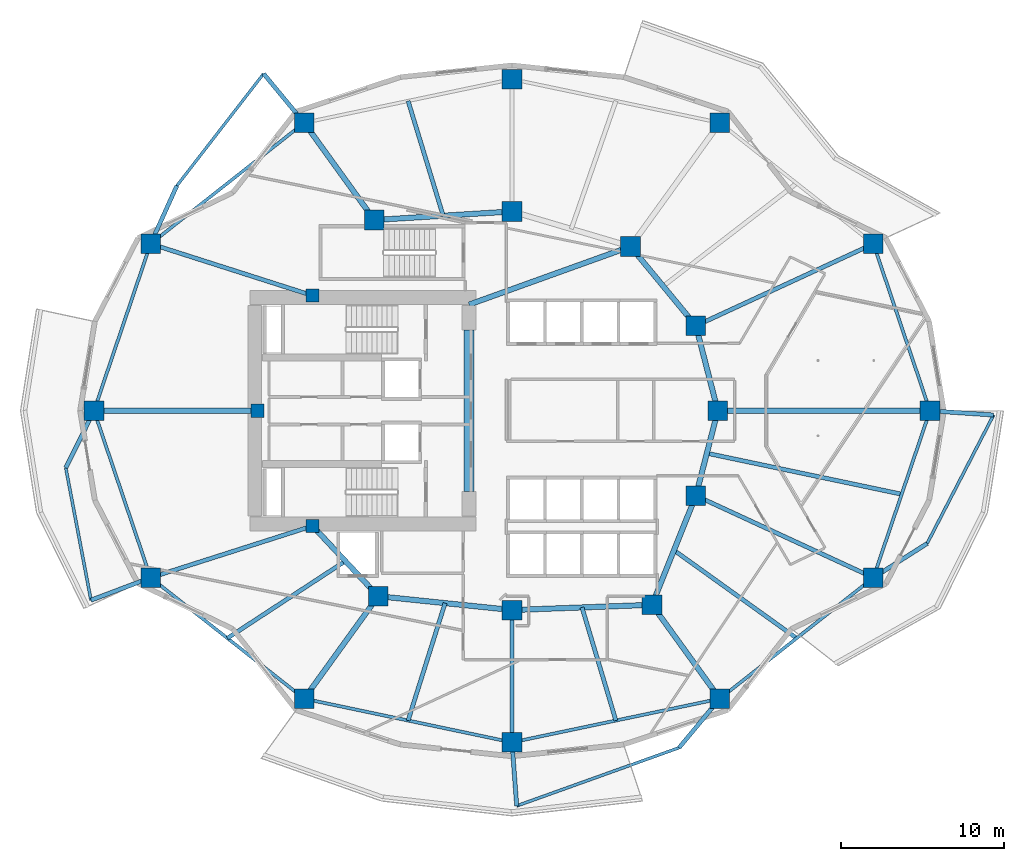
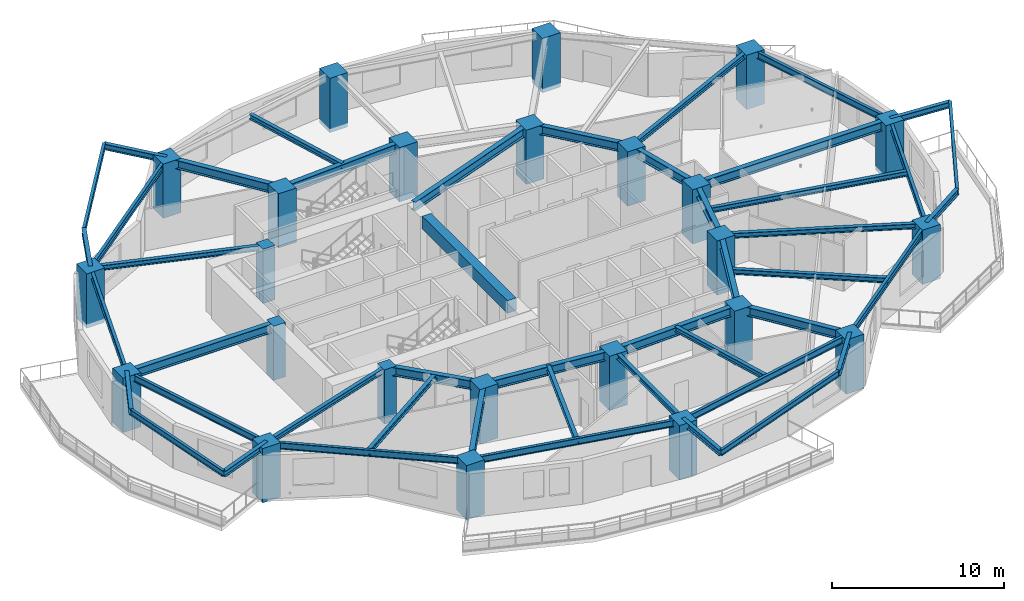
# One storey, part 1 of 14: 47 beams, 24 columns.
"""IFC4 building model written with IfcOpenShell, lengths in metres."""

import ifcopenshell
import ifcopenshell.guid

model = None  # the IFC model being written
_history = None  # IfcOwnerHistory: only IFC2X3 demands one
_inside = {}  # id of a spatial element -> (the spatial element, [elements in it])
_under = {}  # id of a project, library or spatial element -> (it, [spatial elements below it])
_declared = {}  # id of a project -> (the project, [libraries it declares])
_typed = {}  # id of a type object -> (the type object, [elements of that type])
_made_of = {}  # id of a material, layer set ... -> (it, [elements and type objects made of it])


def new_model(schema):
    """Start an empty IFC model of exactly this schema.

    Asked for "IFC4X3", IfcOpenShell would pick the latest addendum, in which some entities
    have other attributes; the version numbers below select the first issue.
    IFC2X3 requires an IfcOwnerHistory on every rooted entity: one is made here for all.
    """
    global model, _history
    if schema == "IFC4X3":
        model = ifcopenshell.file(schema_version=(4, 3, 0, 0))
    else:
        model = ifcopenshell.file(schema=schema)
    _inside.clear()
    _under.clear()
    _declared.clear()
    _typed.clear()
    _made_of.clear()
    _history = None
    if model.schema == "IFC2X3":
        org = make("IfcOrganization", Name="unknown")
        user = make(
            "IfcPersonAndOrganization",
            ThePerson=make("IfcPerson", FamilyName="unknown"),
            TheOrganization=org,
        )
        app = make(
            "IfcApplication",
            ApplicationDeveloper=org,
            Version="unknown",
            ApplicationFullName="unknown",
            ApplicationIdentifier="unknown",
        )
        _history = make(
            "IfcOwnerHistory",
            OwningUser=user,
            OwningApplication=app,
            ChangeAction="ADDED",
            CreationDate=0,
        )
    return model


def make(cls, **values):
    """One entity of the class cls with the attributes given. An attribute that is None is left unset."""
    return model.create_entity(
        cls, **{name: value for name, value in values.items() if value is not None}
    )


def rooted(cls, **values):
    """An entity with a GlobalId (a new one), such as an element, a storey or a relation."""
    return make(cls, GlobalId=ifcopenshell.guid.new(), OwnerHistory=_history, **values)


def si_unit(unit_type, name, prefix=None):
    """IfcSIUnit, for example si_unit("LENGTHUNIT", "METRE", prefix="MILLI")."""
    return make("IfcSIUnit", UnitType=unit_type, Prefix=prefix, Name=name)


def assignment(units):
    """IfcUnitAssignment: the units of a project."""
    return None if units is None else make("IfcUnitAssignment", Units=units)


def point(xyz):
    """IfcCartesianPoint."""
    return None if xyz is None else make("IfcCartesianPoint", Coordinates=xyz)


def direction(xyz):
    """IfcDirection."""
    return None if xyz is None else make("IfcDirection", DirectionRatios=xyz)


def frame(location, z_axis=None, x_axis=None):
    """IfcAxis2Placement3D, a coordinate frame: its origin and axes. An axis left out is left unset."""
    return make(
        "IfcAxis2Placement3D",
        Location=point(location),
        Axis=direction(z_axis),
        RefDirection=direction(x_axis),
    )


def frame_2d(location, x_axis=None):
    """IfcAxis2Placement2D, a coordinate frame in the plane: its origin and x axis."""
    return make(
        "IfcAxis2Placement2D", Location=point(location), RefDirection=direction(x_axis)
    )


def origin():
    """The frame at (0, 0, 0) with its axes left unset."""
    return frame((0.0, 0.0, 0.0))


def origin_2d():
    """The frame at (0, 0) in the plane with its x axis left unset."""
    return frame_2d((0.0, 0.0))


def place(relative_to, where):
    """IfcLocalPlacement: puts the frame where relative to a parent placement (None: the world)."""
    return make(
        "IfcLocalPlacement", PlacementRelTo=relative_to, RelativePlacement=where
    )


def context(
    kind, dimensions, precision=None, world=None, true_north=None, identifier=None
):
    """IfcGeometricRepresentationContext, for example the 3D "Model" context."""
    return make(
        "IfcGeometricRepresentationContext",
        ContextIdentifier=identifier,
        ContextType=kind,
        CoordinateSpaceDimension=dimensions,
        Precision=precision,
        WorldCoordinateSystem=world,
        TrueNorth=true_north,
    )


def subcontext(parent, identifier, kind, view, scale=None):
    """IfcGeometricRepresentationSubContext, for example "Body" below "Model"."""
    return make(
        "IfcGeometricRepresentationSubContext",
        ContextIdentifier=identifier,
        ContextType=kind,
        ParentContext=parent,
        TargetScale=scale,
        TargetView=view,
    )


def project(units=None, contexts=None):
    """IfcProject with its units and contexts."""
    return rooted(
        "IfcProject",
        Name="project",
        RepresentationContexts=contexts,
        UnitsInContext=assignment(units),
    )


def spatial(cls, under=None, at=None, **own):
    """A site, building, storey or space (cls), placed at a placement, below another one or the project."""
    s = rooted(cls, ObjectPlacement=at, **own)
    if under is not None:
        _under.setdefault(under.id(), (under, []))[1].append(s)
    return s


def profile(cls, at=None, kind="AREA", **sizes):
    """A parametric profile (cls). Its sizes go by their IFC names, for example OverallWidth=200.0."""
    return make(cls, ProfileType=kind, Position=at, **sizes)


def rectangle(**sizes):
    """IfcRectangleProfileDef."""
    return profile("IfcRectangleProfileDef", **sizes)


def i_section(**sizes):
    """IfcIShapeProfileDef."""
    return profile("IfcIShapeProfileDef", **sizes)


def extrude(swept, where, along, depth):
    """IfcExtrudedAreaSolid: the profile swept, set in the frame where, extruded along a direction by depth."""
    return make(
        "IfcExtrudedAreaSolid",
        SweptArea=swept,
        Position=where,
        ExtrudedDirection=direction(along),
        Depth=depth,
    )


def shape(context_of_items, identifier, shape_type, items):
    """IfcShapeRepresentation: the items that make up one representation, for example the "Body"."""
    return make(
        "IfcShapeRepresentation",
        ContextOfItems=context_of_items,
        RepresentationIdentifier=identifier,
        RepresentationType=shape_type,
        Items=items,
    )


def material(Name=None, Category=None):
    """IfcMaterial."""
    return make("IfcMaterial", Name=Name, Category=Category)


def material_profile(
    of_material, cross_section, Name=None, Category=None, Priority=None
):
    """IfcMaterialProfile: a cross section and its material."""
    return make(
        "IfcMaterialProfile",
        Name=Name,
        Material=of_material,
        Profile=cross_section,
        Priority=Priority,
        Category=Category,
    )


def profile_set(profiles, Name=None, composite=None):
    """IfcMaterialProfileSet."""
    return make(
        "IfcMaterialProfileSet",
        Name=Name,
        MaterialProfiles=profiles,
        CompositeProfile=composite,
    )


def made_of(thing, what):
    """Note that an element or type object is made of a material, layer set ...; save() writes the relation."""
    if what is not None:
        _made_of.setdefault(what.id(), (what, []))[1].append(thing)
    return thing


def type_object(cls, material=None, **own):
    """A type object (cls), such as IfcWallType, which elements share."""
    return made_of(rooted(cls, **own), material)


def element(
    cls,
    number,
    at=None,
    inside=None,
    cuts=None,
    type_object=None,
    material=None,
    context=None,
    identifier="Body",
    shape_type=None,
    held_by="IfcProductDefinitionShape",
    body=None,
    shapes=None,
    **own,
):
    """One element of the class cls, such as IfcWall. Its Tag is "e" and its number.

    at: its placement. inside: the storey or other place that contains it. cuts: it is an
    opening in that element (IfcRelVoidsElement). A single representation is given by context,
    identifier, shape_type and body (its items); several are given by shapes. held_by: the class
    of the entity that holds the representations. save() writes the other relations.
    """
    e = rooted(cls, Tag="e%d" % number, ObjectPlacement=at, **own)
    if body is not None:
        shapes = [shape(context, identifier, shape_type, body)]
    if shapes is not None:
        e.Representation = make(held_by, Representations=shapes)
    if inside is not None:
        _inside.setdefault(inside.id(), (inside, []))[1].append(e)
    if cuts is not None:
        rooted(
            "IfcRelVoidsElement", RelatingBuildingElement=cuts, RelatedOpeningElement=e
        )
    if type_object is not None:
        _typed.setdefault(type_object.id(), (type_object, []))[1].append(e)
    return made_of(e, material)


def aggregate(whole, parts):
    """IfcRelAggregates: a whole, such as a stair, and the parts it consists of."""
    return rooted("IfcRelAggregates", RelatingObject=whole, RelatedObjects=parts)


def save(model, path):
    """Write the relations noted so far, then the file.

    IfcRelAggregates (storeys below a building ...), IfcRelContainedInSpatialStructure (elements
    in a storey), IfcRelDefinesByType, IfcRelAssociatesMaterial and IfcRelDeclares: one each for
    every whole, place, type object, material and project.
    """
    for whole, parts in _under.values():
        aggregate(whole, parts)
    for where, things in _inside.values():
        rooted(
            "IfcRelContainedInSpatialStructure",
            RelatedElements=things,
            RelatingStructure=where,
        )
    for kind, things in _typed.values():
        rooted("IfcRelDefinesByType", RelatedObjects=things, RelatingType=kind)
    for what, things in _made_of.values():
        rooted("IfcRelAssociatesMaterial", RelatedObjects=things, RelatingMaterial=what)
    for by, libraries in _declared.values():
        rooted("IfcRelDeclares", RelatingContext=by, RelatedDefinitions=libraries)
    model.write(path)


model = new_model("IFC4")

# Units and contexts
model_context = context("Model", 3, precision=1e-05, world=origin(), true_north=direction((0.0, 1.0)))
body_context = subcontext(model_context, "Body", "Model", "MODEL_VIEW")
ifc_project = project(units=[si_unit("LENGTHUNIT", "METRE"), si_unit("AREAUNIT", "SQUARE_METRE"), si_unit("VOLUMEUNIT", "CUBIC_METRE"), si_unit("PLANEANGLEUNIT", "RADIAN"), si_unit("MASSUNIT", "GRAM", prefix="KILO")], contexts=[model_context])

# Site, building, storey
site_placement = place(None, origin())
site = spatial("IfcSite", under=ifc_project, at=site_placement, CompositionType="ELEMENT")
building_placement = place(site_placement, origin())
building = spatial("IfcBuilding", under=site, at=building_placement, Name="Kolvaren Gate Tower and Convention Centre", CompositionType="ELEMENT")
storey_placement = place(building_placement, frame((0.0, 0.0, 57.300048828125)))
storey = spatial("IfcBuildingStorey", under=building, at=storey_placement, Name="L13", CompositionType="ELEMENT", Elevation=57.300048828125)

# Columns
ifc_material_1 = material(Name="Concrete C70/85", Category="concrete")
ifc_material_profile_1 = material_profile(ifc_material_1, rectangle(XDim=1.199951171875, YDim=1.199951171875, at=origin_2d()), Name="RC-COL-1200X1200")
ifc_profile_set_1 = profile_set([ifc_material_profile_1], Name="Concrete C70/85")
column_type_1 = type_object("IfcColumnType", Name="STR-COL-RC1200", PredefinedType="COLUMN", material=ifc_profile_set_1)
for number, where, z_axis, x_axis, name in (
    (1, (55.71240234375, 27.0, -0.280029296875), (0.0, 0.0, 1.0), (1.0, 0.0, 0.0), "Tower L13 Perimeter Supercolumn TP-01"),
    (2, (52.248779296875, 37.218505859375, -0.280029296875), (0.0, 0.0, 1.0), (1.0, 0.0, 0.0), "Tower L13 Perimeter Supercolumn TP-02"),
    (3, (42.846435546875, 44.627197265625, -0.280029296875), (0.0, 0.0, 1.0), (1.0, 0.0, 0.0), "Tower L13 Perimeter Supercolumn TP-03"),
    (4, (30.125, 47.300048828125, -0.280029296875), (0.0, 0.0, 1.0), (1.0, 0.0, 0.0), "Tower L13 Perimeter Supercolumn TP-04"),
    (5, (17.40380859375, 44.627197265625, -0.280029296875), (0.0, 0.0, 1.0), (1.0, 0.0, 0.0), "Tower L13 Perimeter Supercolumn TP-05"),
    (6, (8.001220703125, 37.218505859375, -0.280029296875), (0.0, 0.0, 1.0), (1.0, 0.0, 0.0), "Tower L13 Perimeter Supercolumn TP-06"),
    (7, (4.53759765625, 27.0, -0.280029296875), (0.0, 0.0, 1.0), (1.0, 0.0, 0.0), "Tower L13 Perimeter Supercolumn TP-07"),
    (8, (8.001220703125, 16.781494140625, -0.280029296875), (0.0, 0.0, 1.0), (1.0, 0.0, 0.0), "Tower L13 Perimeter Supercolumn TP-08"),
    (9, (17.403564453125, 9.372802734375, -0.280029296875), (0.0, 0.0, 1.0), (1.0, 0.0, 0.0), "Tower L13 Perimeter Supercolumn TP-09"),
    (10, (30.125, 6.699951171875, -0.280029296875), (0.0, 0.0, 1.0), (1.0, 0.0, 0.0), "Tower L13 Perimeter Supercolumn TP-10"),
    (11, (42.846435546875, 9.372802734375, -0.280029296875), (0.0, 0.0, 1.0), (1.0, 0.0, 0.0), "Tower L13 Perimeter Supercolumn TP-11"),
    (12, (52.248779296875, 16.781494140625, -0.280029296875), (0.0, 0.0, 1.0), (1.0, 0.0, 0.0), "Tower L13 Perimeter Supercolumn TP-12"),
    (13, (42.72509765625, 27.0, -0.280029296875), (0.0, 0.0, 1.0), (1.0, 0.0, 0.0), "Tower L13 Interior Column TI-01"),
    (14, (41.382080078125, 32.199462890625, -0.280029296875), (0.0, 0.0, 1.0), (1.0, 0.0, 0.0), "Tower L13 Interior Column TI-02"),
    (15, (37.381591796875, 37.054931640625, -0.280029296875), (0.0, 0.0, 1.0), (1.0, 0.0, 0.0), "Tower L13 Interior Column TI-03"),
    (16, (30.125, 39.199951171875, -0.280029296875), (0.0, 0.0, 1.0), (1.0, 0.0, 0.0), "Tower L13 Interior Column TI-04"),
    (17, (21.697998046875, 38.6767578125, -0.280029296875), (0.0, 0.0, 1.0), (1.0, 0.0, 0.0), "Tower L13 Interior Column TI-05"),
    (18, (21.93212890625, 15.647705078125, -0.280029296875), (0.0, 0.0, 1.0), (1.0, 0.0, 0.0), "Tower L13 Interior Column TI-06"),
    (19, (30.125, 14.800048828125, -0.280029296875), (0.0, 0.0, 1.0), (1.0, 0.0, 0.0), "Tower L13 Interior Column TI-07"),
    (20, (38.6982421875, 15.12060546875, -0.280029296875), (0.0, 0.0, 1.0), (1.0, 0.0, 0.0), "Tower L13 Interior Column TI-08"),
    (21, (41.382080078125, 21.800537109375, -0.280029296875), (0.0, 0.0, 1.0), (1.0, 0.0, 0.0), "Tower L13 Interior Column TI-09"),
):
    element("IfcColumn", number, at=place(storey_placement, frame(where, z_axis=z_axis, x_axis=x_axis)), inside=storey, type_object=column_type_1, Name=name, PredefinedType="COLUMN", context=body_context, shape_type="SweptSolid", body=[
        extrude(rectangle(XDim=1.199951171875, YDim=1.199951171875, at=origin_2d()), origin(), (0.0, 0.0, 1.0), 3.85009765625),
    ])
ifc_material_2 = material(Name="Concrete C60/75", Category="concrete")
ifc_material_profile_2 = material_profile(ifc_material_2, rectangle(XDim=0.800048828125, YDim=0.800048828125, at=origin_2d()), Name="RC-COL-800X800")
ifc_profile_set_2 = profile_set([ifc_material_profile_2], Name="Concrete C60/75")
column_type_2 = type_object("IfcColumnType", Name="STR-PIL-RC800", PredefinedType="PILASTER", material=ifc_profile_set_2)
for number, where, z_axis, x_axis, name in (
    (22, (17.9140625, 34.050048828125, -0.280029296875), (0.0, 0.0, 1.0), (1.0, 0.0, 0.0), "Tower L13 Core Boundary Pilaster TC-05"),
    (23, (14.550048828125, 27.0, -0.280029296875), (0.0, 0.0, 1.0), (1.0, 0.0, 0.0), "Tower L13 Core Boundary Pilaster TC-06"),
    (24, (17.9140625, 19.949951171875, -0.280029296875), (0.0, 0.0, 1.0), (1.0, 0.0, 0.0), "Tower L13 Core Boundary Pilaster TC-07"),
):
    element("IfcColumn", number, at=place(storey_placement, frame(where, z_axis=z_axis, x_axis=x_axis)), inside=storey, type_object=column_type_2, Name=name, PredefinedType="PILASTER", context=body_context, shape_type="SweptSolid", body=[
        extrude(rectangle(XDim=0.800048828125, YDim=0.800048828125, at=origin_2d()), origin(), (0.0, 0.0, 1.0), 3.85009765625),
    ])

# Beams
ifc_material_3 = material(Name="Structural steel ASTM A992 Grade 345 MPa", Category="steel")
ifc_material_profile_3 = material_profile(ifc_material_3, i_section(OverallWidth=0.260009765625, OverallDepth=0.419921875, WebThickness=0.013427734375, FlangeThickness=0.0224609375, at=origin_2d()), Name="W410X132")
ifc_profile_set_3 = profile_set([ifc_material_profile_3], Name="Structural steel ASTM A992 Grade 345 MPa")
beam_type_1 = type_object("IfcBeamType", Name="STR-BM-W410X132", PredefinedType="BEAM", material=ifc_profile_set_3)
beam_1_placement = place(storey_placement, frame((17.40380859375, 44.627197265625, 3.3603515625), z_axis=(-0.637082027361, 0.770796010896, 0.0), x_axis=(-0.770796010896, -0.637082027361, 0.0)))
element("IfcBeam", 25, at=beam_1_placement, inside=storey, type_object=beam_type_1, Name="Tower L14 Planted Balcony Outrigger Cantilever BC-1A", PredefinedType="BEAM", context=body_context, shape_type="SweptSolid", body=[
    extrude(i_section(OverallWidth=0.260009765625, OverallDepth=0.419921875, WebThickness=0.013427734375, FlangeThickness=0.0224609375, at=origin_2d()), origin(), (0.0, 0.0, 1.0), 3.89990234375),
])
beam_2_placement = place(storey_placement, frame((8.001220703125, 37.218505859375, 3.3603515625), z_axis=(0.411967423592, 0.911198574351, 0.0), x_axis=(-0.911198574351, 0.411967423592, 0.0)))
element("IfcBeam", 26, at=beam_2_placement, inside=storey, type_object=beam_type_1, Name="Tower L14 Planted Balcony Outrigger Cantilever BC-1B", PredefinedType="BEAM", context=body_context, shape_type="SweptSolid", body=[
    extrude(i_section(OverallWidth=0.260009765625, OverallDepth=0.419921875, WebThickness=0.013427734375, FlangeThickness=0.0224609375, at=origin_2d()), origin(), (0.0, 0.0, 1.0), 3.900146484375),
])
beam_3_placement = place(storey_placement, frame((4.53759765625, 27.0, 3.3603515625), z_axis=(-0.442775963142, -0.896632280516, 0.0), x_axis=(0.896632280516, -0.442775963142, 0.0)))
element("IfcBeam", 27, at=beam_3_placement, inside=storey, type_object=beam_type_1, Name="Tower L14 Planted Balcony Outrigger Cantilever BC-2A", PredefinedType="BEAM", context=body_context, shape_type="SweptSolid", body=[
    extrude(i_section(OverallWidth=0.260009765625, OverallDepth=0.419921875, WebThickness=0.013427734375, FlangeThickness=0.0224609375, at=origin_2d()), origin(), (0.0, 0.0, 1.0), 3.89990234375),
])
beam_4_placement = place(storey_placement, frame((8.001220703125, 16.781494140625, 3.3603515625), z_axis=(-0.935601718951, -0.353057252434, 0.0), x_axis=(0.353057252434, -0.935601718951, 0.0)))
element("IfcBeam", 28, at=beam_4_placement, inside=storey, type_object=beam_type_1, Name="Tower L14 Planted Balcony Outrigger Cantilever BC-2B", PredefinedType="BEAM", context=body_context, shape_type="SweptSolid", body=[
    extrude(i_section(OverallWidth=0.260009765625, OverallDepth=0.419921875, WebThickness=0.013427734375, FlangeThickness=0.0224609375, at=origin_2d()), origin(), (0.0, 0.0, 1.0), 3.900146484375),
])
beam_5_placement = place(storey_placement, frame((30.125, 6.699951171875, 3.3603515625), z_axis=(0.074182982185, -0.997244646591, 0.0), x_axis=(0.997244646591, 0.074182982185, 0.0)))
element("IfcBeam", 29, at=beam_5_placement, inside=storey, type_object=beam_type_1, Name="Tower L14 Planted Balcony Outrigger Cantilever BC-3A", PredefinedType="BEAM", context=body_context, shape_type="SweptSolid", body=[
    extrude(i_section(OverallWidth=0.260009765625, OverallDepth=0.419921875, WebThickness=0.013427734375, FlangeThickness=0.0224609375, at=origin_2d()), origin(), (0.0, 0.0, 1.0), 3.89990234375),
])
beam_6_placement = place(storey_placement, frame((42.846435546875, 9.372802734375, 3.3603515625), z_axis=(-0.639069265421, -0.769149188386, 0.0), x_axis=(0.769149188386, -0.639069265421, 0.0)))
element("IfcBeam", 30, at=beam_6_placement, inside=storey, type_object=beam_type_1, Name="Tower L14 Planted Balcony Outrigger Cantilever BC-3B", PredefinedType="BEAM", context=body_context, shape_type="SweptSolid", body=[
    extrude(i_section(OverallWidth=0.260009765625, OverallDepth=0.419921875, WebThickness=0.013427734375, FlangeThickness=0.0224609375, at=origin_2d()), origin(), (0.0, 0.0, 1.0), 3.900146484375),
])
beam_7_placement = place(storey_placement, frame((52.248779296875, 16.781494140625, 3.3603515625), z_axis=(0.843548050681, 0.537053708853, 0.0), x_axis=(-0.537053708853, 0.843548050681, 0.0)))
element("IfcBeam", 31, at=beam_7_placement, inside=storey, type_object=beam_type_1, Name="Tower L14 Planted Balcony Outrigger Cantilever BC-4A", PredefinedType="BEAM", context=body_context, shape_type="SweptSolid", body=[
    extrude(i_section(OverallWidth=0.260009765625, OverallDepth=0.419921875, WebThickness=0.013427734375, FlangeThickness=0.0224609375, at=origin_2d()), origin(), (0.0, 0.0, 1.0), 3.89990234375),
])
beam_8_placement = place(storey_placement, frame((55.71240234375, 27.0, 3.3603515625), z_axis=(0.997745931522, -0.067104814517, 0.0), x_axis=(0.067104814517, 0.997745931522, 0.0)))
element("IfcBeam", 32, at=beam_8_placement, inside=storey, type_object=beam_type_1, Name="Tower L14 Planted Balcony Outrigger Cantilever BC-4B", PredefinedType="BEAM", context=body_context, shape_type="SweptSolid", body=[
    extrude(i_section(OverallWidth=0.260009765625, OverallDepth=0.419921875, WebThickness=0.013427734375, FlangeThickness=0.0224609375, at=origin_2d()), origin(), (0.0, 0.0, 1.0), 3.900146484375),
])
ifc_material_profile_4 = material_profile(ifc_material_3, i_section(OverallWidth=0.327880859375, OverallDepth=0.6279296875, WebThickness=0.0166015625, FlangeThickness=0.027587890625, at=origin_2d()), Name="W610X217")
ifc_profile_set_4 = profile_set([ifc_material_profile_4], Name="Structural steel ASTM A992 Grade 345 MPa")
beam_type_2 = type_object("IfcBeamType", Name="STR-BM-W610X217", PredefinedType="BEAM", material=ifc_profile_set_4)
beam_9_placement = place(storey_placement, frame((42.72509765625, 27.0, 3.255859375), z_axis=(-0.250091133936, -0.968222301296, 0.0), x_axis=(0.968222301296, -0.250091133936, 0.0)))
element("IfcBeam", 33, at=beam_9_placement, inside=storey, type_object=beam_type_2, Name="Tower L13 Primary Ring Girder G-01", PredefinedType="BEAM", context=body_context, shape_type="SweptSolid", body=[
    extrude(i_section(OverallWidth=0.327880859375, OverallDepth=0.6279296875, WebThickness=0.0166015625, FlangeThickness=0.027587890625, at=origin_2d()), origin(), (0.0, 0.0, 1.0), 5.3701171875),
])
beam_10_placement = place(storey_placement, frame((41.382080078125, 32.199462890625, 3.255859375), z_axis=(-0.635884066011, 0.771784590798, 0.0), x_axis=(-0.771784590798, -0.635884066011, 0.0)))
element("IfcBeam", 34, at=beam_10_placement, inside=storey, type_object=beam_type_2, Name="Tower L13 Primary Ring Girder G-02", PredefinedType="BEAM", context=body_context, shape_type="SweptSolid", body=[
    extrude(i_section(OverallWidth=0.327880859375, OverallDepth=0.6279296875, WebThickness=0.0166015625, FlangeThickness=0.027587890625, at=origin_2d()), origin(), (0.0, 0.0, 1.0), 6.291259765625),
])
beam_11_placement = place(storey_placement, frame((30.125, 39.199951171875, 3.255859375), z_axis=(-0.998078258568, -0.06196603726, 0.0), x_axis=(0.06196603726, -0.998078258568, 0.0)))
element("IfcBeam", 35, at=beam_11_placement, inside=storey, type_object=beam_type_2, Name="Tower L13 Primary Ring Girder G-04", PredefinedType="BEAM", context=body_context, shape_type="SweptSolid", body=[
    extrude(i_section(OverallWidth=0.327880859375, OverallDepth=0.6279296875, WebThickness=0.0166015625, FlangeThickness=0.027587890625, at=origin_2d()), origin(), (0.0, 0.0, 1.0), 8.443115234375),
])
beam_12_placement = place(storey_placement, frame((17.9140625, 19.949951171875, 3.255859375), z_axis=(0.682557592987, -0.730831808459, 0.0), x_axis=(0.730831808459, 0.682557592987, 0.0)))
element("IfcBeam", 36, at=beam_12_placement, inside=storey, type_object=beam_type_2, Name="Tower L13 Primary Ring Girder G-06", PredefinedType="BEAM", context=body_context, shape_type="SweptSolid", body=[
    extrude(i_section(OverallWidth=0.327880859375, OverallDepth=0.6279296875, WebThickness=0.0166015625, FlangeThickness=0.027587890625, at=origin_2d()), origin(), (0.0, 0.0, 1.0), 5.88671875),
])
beam_13_placement = place(storey_placement, frame((21.93212890625, 15.647705078125, 3.255859375), z_axis=(0.994690329115, -0.102913308978, 0.0), x_axis=(0.102913308978, 0.994690329115, 0.0)))
element("IfcBeam", 37, at=beam_13_placement, inside=storey, type_object=beam_type_2, Name="Tower L13 Primary Ring Girder G-07", PredefinedType="BEAM", context=body_context, shape_type="SweptSolid", body=[
    extrude(i_section(OverallWidth=0.327880859375, OverallDepth=0.6279296875, WebThickness=0.0166015625, FlangeThickness=0.027587890625, at=origin_2d()), origin(), (0.0, 0.0, 1.0), 8.236572265625),
])
beam_14_placement = place(storey_placement, frame((30.125, 14.800048828125, 3.255859375), z_axis=(0.999301712453, 0.037364254142, 0.0), x_axis=(-0.037364254142, 0.999301712453, 0.0)))
element("IfcBeam", 38, at=beam_14_placement, inside=storey, type_object=beam_type_2, Name="Tower L13 Primary Ring Girder G-08", PredefinedType="BEAM", context=body_context, shape_type="SweptSolid", body=[
    extrude(i_section(OverallWidth=0.327880859375, OverallDepth=0.6279296875, WebThickness=0.0166015625, FlangeThickness=0.027587890625, at=origin_2d()), origin(), (0.0, 0.0, 1.0), 8.579345703125),
])
beam_15_placement = place(storey_placement, frame((38.6982421875, 15.12060546875, 3.255859375), z_axis=(0.372811100169, 0.927907260232, 0.0), x_axis=(-0.927907260232, 0.372811100169, 0.0)))
element("IfcBeam", 39, at=beam_15_placement, inside=storey, type_object=beam_type_2, Name="Tower L13 Primary Ring Girder G-09", PredefinedType="BEAM", context=body_context, shape_type="SweptSolid", body=[
    extrude(i_section(OverallWidth=0.327880859375, OverallDepth=0.6279296875, WebThickness=0.0166015625, FlangeThickness=0.027587890625, at=origin_2d()), origin(), (0.0, 0.0, 1.0), 7.198974609375),
])
beam_16_placement = place(storey_placement, frame((27.5, 33.5, 3.255859375), z_axis=(0.940961479908, 0.338513653093, 0.0), x_axis=(-0.338513653093, 0.940961479908, 0.0)))
element("IfcBeam", 40, at=beam_16_placement, inside=storey, type_object=beam_type_2, Name="Tower L13 Primary Ring Girder G-10", PredefinedType="BEAM", context=body_context, shape_type="SweptSolid", body=[
    extrude(i_section(OverallWidth=0.327880859375, OverallDepth=0.6279296875, WebThickness=0.0166015625, FlangeThickness=0.027587890625, at=origin_2d()), origin(), (0.0, 0.0, 1.0), 10.501708984375),
])
beam_17_placement = place(storey_placement, frame((42.72509765625, 27.0, 3.255859375), z_axis=(-0.250091133936, 0.968222301296, 0.0), x_axis=(-0.968222301296, -0.250091133936, 0.0)))
element("IfcBeam", 41, at=beam_17_placement, inside=storey, type_object=beam_type_2, Name="Tower L13 Primary Ring Girder G-12", PredefinedType="BEAM", context=body_context, shape_type="SweptSolid", body=[
    extrude(i_section(OverallWidth=0.327880859375, OverallDepth=0.6279296875, WebThickness=0.0166015625, FlangeThickness=0.027587890625, at=origin_2d()), origin(), (0.0, 0.0, 1.0), 5.3701171875),
])
beam_18_placement = place(storey_placement, frame((42.72509765625, 27.0, 3.255859375), z_axis=(1.0, 0.0, 0.0), x_axis=(0.0, 1.0, 0.0)))
element("IfcBeam", 42, at=beam_18_placement, inside=storey, type_object=beam_type_2, Name="Tower L13 Radial Floor Girder RB-01", PredefinedType="BEAM", context=body_context, shape_type="SweptSolid", body=[
    extrude(i_section(OverallWidth=0.327880859375, OverallDepth=0.6279296875, WebThickness=0.0166015625, FlangeThickness=0.027587890625, at=origin_2d()), origin(), (0.0, 0.0, 1.0), 12.9873046875),
])
beam_19_placement = place(storey_placement, frame((21.697998046875, 38.6767578125, 3.255859375), z_axis=(-0.585190474102, 0.810895868173, 0.0), x_axis=(-0.810895868173, -0.585190474102, 0.0)))
element("IfcBeam", 43, at=beam_19_placement, inside=storey, type_object=beam_type_2, Name="Tower L13 Radial Floor Girder RB-05", PredefinedType="BEAM", context=body_context, shape_type="SweptSolid", body=[
    extrude(i_section(OverallWidth=0.327880859375, OverallDepth=0.6279296875, WebThickness=0.0166015625, FlangeThickness=0.027587890625, at=origin_2d()), origin(), (0.0, 0.0, 1.0), 7.338134765625),
])
beam_20_placement = place(storey_placement, frame((14.550048828125, 27.0, 3.255859375), z_axis=(-1.0, 0.0, 0.0), x_axis=(0.0, -1.0, 0.0)))
element("IfcBeam", 44, at=beam_20_placement, inside=storey, type_object=beam_type_2, Name="Tower L13 Radial Floor Girder RB-07", PredefinedType="BEAM", context=body_context, shape_type="SweptSolid", body=[
    extrude(i_section(OverallWidth=0.327880859375, OverallDepth=0.6279296875, WebThickness=0.0166015625, FlangeThickness=0.027587890625, at=origin_2d()), origin(), (0.0, 0.0, 1.0), 10.012451171875),
])
beam_21_placement = place(storey_placement, frame((21.93212890625, 15.647705078125, 3.255859375), z_axis=(-0.585209453994, -0.810882170821, 0.0), x_axis=(0.810882170821, -0.585209453994, 0.0)))
element("IfcBeam", 45, at=beam_21_placement, inside=storey, type_object=beam_type_2, Name="Tower L13 Radial Floor Girder RB-09", PredefinedType="BEAM", context=body_context, shape_type="SweptSolid", body=[
    extrude(i_section(OverallWidth=0.327880859375, OverallDepth=0.6279296875, WebThickness=0.0166015625, FlangeThickness=0.027587890625, at=origin_2d()), origin(), (0.0, 0.0, 1.0), 7.73828125),
])
beam_22_placement = place(storey_placement, frame((38.6982421875, 15.12060546875, 3.255859375), z_axis=(0.585212604054, -0.81087989743, 0.0), x_axis=(0.81087989743, 0.585212604054, 0.0)))
element("IfcBeam", 46, at=beam_22_placement, inside=storey, type_object=beam_type_2, Name="Tower L13 Radial Floor Girder RB-11", PredefinedType="BEAM", context=body_context, shape_type="SweptSolid", body=[
    extrude(i_section(OverallWidth=0.327880859375, OverallDepth=0.6279296875, WebThickness=0.0166015625, FlangeThickness=0.027587890625, at=origin_2d()), origin(), (0.0, 0.0, 1.0), 7.08837890625),
])
ifc_material_profile_5 = material_profile(ifc_material_3, i_section(OverallWidth=0.2548828125, OverallDepth=0.35693359375, WebThickness=0.010498046875, FlangeThickness=0.018310546875, at=origin_2d()), Name="W360X101")
ifc_profile_set_5 = profile_set([ifc_material_profile_5], Name="Structural steel ASTM A992 Grade 345 MPa")
beam_type_3 = type_object("IfcBeamType", Name="STR-JS-W360X101", PredefinedType="JOIST", material=ifc_profile_set_5)
beam_23_placement = place(storey_placement, frame((41.382080078125, 32.199462890625, 3.391357421875), z_axis=(0.907843538102, 0.419309086864, 0.0), x_axis=(-0.419309086864, 0.907843538102, 0.0)))
element("IfcBeam", 47, at=beam_23_placement, inside=storey, type_object=beam_type_3, Name="Tower L13 Radial Floor Girder RB-02", PredefinedType="JOIST", context=body_context, shape_type="SweptSolid", body=[
    extrude(i_section(OverallWidth=0.2548828125, OverallDepth=0.35693359375, WebThickness=0.010498046875, FlangeThickness=0.018310546875, at=origin_2d()), origin(), (0.0, 0.0, 1.0), 11.9697265625),
])
for number, where, z_axis, x_axis, name in (
    (48, (17.9140625, 34.050048828125, 3.391357421875), (-0.952525967456, 0.304457355507, 0.0), (-0.304457355507, -0.952525967456, 0.0), "Tower L13 Radial Floor Girder RB-06"),
    (49, (17.9140625, 19.949951171875, 3.391357421875), (-0.952525967456, -0.304457355507, 0.0), (0.304457355507, -0.952525967456, 0.0), "Tower L13 Radial Floor Girder RB-08"),
):
    element("IfcBeam", number, at=place(storey_placement, frame(where, z_axis=z_axis, x_axis=x_axis)), inside=storey, type_object=beam_type_3, Name=name, PredefinedType="JOIST", context=body_context, shape_type="SweptSolid", body=[
        extrude(i_section(OverallWidth=0.2548828125, OverallDepth=0.35693359375, WebThickness=0.010498046875, FlangeThickness=0.018310546875, at=origin_2d()), origin(), (0.0, 0.0, 1.0), 10.406982421875),
    ])
beam_24_placement = place(storey_placement, frame((30.125, 14.800048828125, 3.391357421875), z_axis=(0.0, -1.0, 0.0), x_axis=(1.0, 0.0, 0.0)))
element("IfcBeam", 50, at=beam_24_placement, inside=storey, type_object=beam_type_3, Name="Tower L13 Radial Floor Girder RB-10", PredefinedType="JOIST", context=body_context, shape_type="SweptSolid", body=[
    extrude(i_section(OverallWidth=0.2548828125, OverallDepth=0.35693359375, WebThickness=0.010498046875, FlangeThickness=0.018310546875, at=origin_2d()), origin(), (0.0, 0.0, 1.0), 8.10009765625),
])
beam_25_placement = place(storey_placement, frame((41.382080078125, 21.800537109375, 3.391357421875), z_axis=(0.907843538102, -0.419309086864, 0.0), x_axis=(0.419309086864, 0.907843538102, 0.0)))
element("IfcBeam", 51, at=beam_25_placement, inside=storey, type_object=beam_type_3, Name="Tower L13 Radial Floor Girder RB-12", PredefinedType="JOIST", context=body_context, shape_type="SweptSolid", body=[
    extrude(i_section(OverallWidth=0.2548828125, OverallDepth=0.35693359375, WebThickness=0.010498046875, FlangeThickness=0.018310546875, at=origin_2d()), origin(), (0.0, 0.0, 1.0), 11.9697265625),
])
beam_26_placement = place(storey_placement, frame((25.91162109375, 38.938232421875, 3.391357421875), z_axis=(-0.292298748053, 0.956327058012, 0.0), x_axis=(-0.956327058012, -0.292298748053, 0.0)))
element("IfcBeam", 52, at=beam_26_placement, inside=storey, type_object=beam_type_3, Name="Tower L13 Secondary Composite Floor Joist J-04.1", PredefinedType="JOIST", context=body_context, shape_type="SweptSolid", body=[
    extrude(i_section(OverallWidth=0.2548828125, OverallDepth=0.35693359375, WebThickness=0.010498046875, FlangeThickness=0.018310546875, at=origin_2d()), origin(), (0.0, 0.0, 1.0), 7.345947265625),
])
beam_27_placement = place(storey_placement, frame((19.923095703125, 17.798828125, 3.391357421875), z_axis=(-0.836945684387, -0.547285959428, 0.0), x_axis=(0.547285959428, -0.836945684387, 0.0)))
element("IfcBeam", 53, at=beam_27_placement, inside=storey, type_object=beam_type_3, Name="Tower L13 Secondary Composite Floor Joist J-08.1", PredefinedType="JOIST", context=body_context, shape_type="SweptSolid", body=[
    extrude(i_section(OverallWidth=0.2548828125, OverallDepth=0.35693359375, WebThickness=0.010498046875, FlangeThickness=0.018310546875, at=origin_2d()), origin(), (0.0, 0.0, 1.0), 8.62744140625),
])
beam_28_placement = place(storey_placement, frame((26.028564453125, 15.223876953125, 3.391357421875), z_axis=(-0.300467647472, -0.953792007108, 0.0), x_axis=(0.953792007108, -0.300467647472, 0.0)))
element("IfcBeam", 54, at=beam_28_placement, inside=storey, type_object=beam_type_3, Name="Tower L13 Secondary Composite Floor Joist J-09.1", PredefinedType="JOIST", context=body_context, shape_type="SweptSolid", body=[
    extrude(i_section(OverallWidth=0.2548828125, OverallDepth=0.35693359375, WebThickness=0.010498046875, FlangeThickness=0.018310546875, at=origin_2d()), origin(), (0.0, 0.0, 1.0), 7.535400390625),
])
beam_29_placement = place(storey_placement, frame((34.41162109375, 14.960205078125, 3.391357421875), z_axis=(0.286954287166, -0.957944276603, 0.0), x_axis=(0.957944276603, 0.286954287166, 0.0)))
element("IfcBeam", 55, at=beam_29_placement, inside=storey, type_object=beam_type_3, Name="Tower L13 Secondary Composite Floor Joist J-10.1", PredefinedType="JOIST", context=body_context, shape_type="SweptSolid", body=[
    extrude(i_section(OverallWidth=0.2548828125, OverallDepth=0.35693359375, WebThickness=0.010498046875, FlangeThickness=0.018310546875, at=origin_2d()), origin(), (0.0, 0.0, 1.0), 7.2275390625),
])
beam_30_placement = place(storey_placement, frame((40.040283203125, 18.46044921875, 3.391357421875), z_axis=(0.812660683761, -0.582737173234, 0.0), x_axis=(0.582737173234, 0.812660683761, 0.0)))
element("IfcBeam", 56, at=beam_30_placement, inside=storey, type_object=beam_type_3, Name="Tower L13 Secondary Composite Floor Joist J-11.1", PredefinedType="JOIST", context=body_context, shape_type="SweptSolid", body=[
    extrude(i_section(OverallWidth=0.2548828125, OverallDepth=0.35693359375, WebThickness=0.010498046875, FlangeThickness=0.018310546875, at=origin_2d()), origin(), (0.0, 0.0, 1.0), 9.238037109375),
])
beam_31_placement = place(storey_placement, frame((42.0537109375, 24.400146484375, 3.391357421875), z_axis=(0.978573369431, -0.205898423114, 0.0), x_axis=(0.205898423114, 0.978573369431, 0.0)))
element("IfcBeam", 57, at=beam_31_placement, inside=storey, type_object=beam_type_3, Name="Tower L13 Secondary Composite Floor Joist J-12.1", PredefinedType="JOIST", context=body_context, shape_type="SweptSolid", body=[
    extrude(i_section(OverallWidth=0.2548828125, OverallDepth=0.35693359375, WebThickness=0.010498046875, FlangeThickness=0.018310546875, at=origin_2d()), origin(), (0.0, 0.0, 1.0), 12.188232421875),
])
ifc_material_profile_6 = material_profile(ifc_material_2, rectangle(XDim=0.60009765625, YDim=0.89990234375, at=origin_2d()), Name="RC-BM-600X900")
ifc_profile_set_6 = profile_set([ifc_material_profile_6], Name="Concrete C60/75")
beam_type_4 = type_object("IfcBeamType", Name="STR-LN-RC600X900", PredefinedType="LINTEL", material=ifc_profile_set_6)
beam_32_placement = place(storey_placement, frame((27.5, 22.050048828125, 3.119873046875), z_axis=(0.0, 1.0, 0.0), x_axis=(-1.0, 0.0, 0.0)))
element("IfcBeam", 58, at=beam_32_placement, inside=storey, type_object=beam_type_4, Name="Tower L13 Core Ductile Coupling Beam CB-01", PredefinedType="LINTEL", context=body_context, shape_type="SweptSolid", body=[
    extrude(rectangle(XDim=0.60009765625, YDim=0.89990234375, at=origin_2d()), origin(), (0.0, 0.0, 1.0), 9.89990234375),
])
ifc_material_profile_7 = material_profile(ifc_material_3, i_section(OverallWidth=0.180908203125, OverallDepth=0.4169921875, WebThickness=0.010986328125, FlangeThickness=0.018310546875, at=origin_2d()), Name="W410X85")
ifc_profile_set_7 = profile_set([ifc_material_profile_7], Name="Structural steel ASTM A992 Grade 345 MPa")
beam_type_5 = type_object("IfcBeamType", Name="STR-SP-W410X85", PredefinedType="SPANDREL", material=ifc_profile_set_7)
beam_33_placement = place(storey_placement, frame((14.919189453125, 47.63330078125, 3.362060546875), z_axis=(-0.61213516889, -0.790753144166, 0.0), x_axis=(0.790753144166, -0.61213516889, 0.0)))
element("IfcBeam", 59, at=beam_33_placement, inside=storey, type_object=beam_type_5, Name="Tower L14 Planted Balcony Header Tie Beam BT-1", PredefinedType="SPANDREL", context=body_context, shape_type="SweptSolid", body=[
    extrude(i_section(OverallWidth=0.180908203125, OverallDepth=0.4169921875, WebThickness=0.010986328125, FlangeThickness=0.018310546875, at=origin_2d()), origin(), (0.0, 0.0, 1.0), 8.6767578125),
])
beam_34_placement = place(storey_placement, frame((2.810791015625, 23.503173828125, 3.362060546875), z_axis=(0.186984188423, -0.982362923404, 0.0), x_axis=(0.982362923404, 0.186984188423, 0.0)))
element("IfcBeam", 60, at=beam_34_placement, inside=storey, type_object=beam_type_5, Name="Tower L14 Planted Balcony Header Tie Beam BT-2", PredefinedType="SPANDREL", context=body_context, shape_type="SweptSolid", body=[
    extrude(i_section(OverallWidth=0.180908203125, OverallDepth=0.4169921875, WebThickness=0.010986328125, FlangeThickness=0.018310546875, at=origin_2d()), origin(), (0.0, 0.0, 1.0), 8.244140625),
])
beam_35_placement = place(storey_placement, frame((30.414306640625, 2.810791015625, 3.362060546875), z_axis=(0.941370443611, 0.337374699549, 0.0), x_axis=(-0.337374699549, 0.941370443611, 0.0)))
element("IfcBeam", 61, at=beam_35_placement, inside=storey, type_object=beam_type_5, Name="Tower L14 Planted Balcony Header Tie Beam BT-3", PredefinedType="SPANDREL", context=body_context, shape_type="SweptSolid", body=[
    extrude(i_section(OverallWidth=0.180908203125, OverallDepth=0.4169921875, WebThickness=0.010986328125, FlangeThickness=0.018310546875, at=origin_2d()), origin(), (0.0, 0.0, 1.0), 10.558837890625),
])
beam_36_placement = place(storey_placement, frame((55.53857421875, 18.8759765625, 3.362060546875), z_axis=(0.459287093639, 0.888287884425, 0.0), x_axis=(-0.888287884425, 0.459287093639, 0.0)))
element("IfcBeam", 62, at=beam_36_placement, inside=storey, type_object=beam_type_5, Name="Tower L14 Planted Balcony Header Tie Beam BT-4", PredefinedType="SPANDREL", context=body_context, shape_type="SweptSolid", body=[
    extrude(i_section(OverallWidth=0.180908203125, OverallDepth=0.4169921875, WebThickness=0.010986328125, FlangeThickness=0.018310546875, at=origin_2d()), origin(), (0.0, 0.0, 1.0), 8.85107421875),
])
ifc_material_profile_8 = material_profile(ifc_material_3, i_section(OverallWidth=0.194091796875, OverallDepth=0.468994140625, WebThickness=0.0126953125, FlangeThickness=0.0205078125, at=origin_2d()), Name="W460X106")
ifc_profile_set_8 = profile_set([ifc_material_profile_8], Name="Structural steel ASTM A992 Grade 345 MPa")
beam_type_6 = type_object("IfcBeamType", Name="STR-SP-W460X106", PredefinedType="SPANDREL", material=ifc_profile_set_8)
beam_37_placement = place(storey_placement, frame((55.71240234375, 27.0, 3.33544921875), z_axis=(-0.321016233787, 0.947073691771, 0.0), x_axis=(-0.947073691771, -0.321016233787, 0.0)))
element("IfcBeam", 63, at=beam_37_placement, inside=storey, type_object=beam_type_6, Name="Tower L13 Perimeter Spandrel Beam SP-01", PredefinedType="SPANDREL", context=body_context, shape_type="SweptSolid", body=[
    extrude(i_section(OverallWidth=0.194091796875, OverallDepth=0.468994140625, WebThickness=0.0126953125, FlangeThickness=0.0205078125, at=origin_2d()), origin(), (0.0, 0.0, 1.0), 10.78955078125),
])
beam_38_placement = place(storey_placement, frame((17.40380859375, 44.627197265625, 3.33544921875), z_axis=(-0.785467636887, -0.618902731778, 0.0), x_axis=(0.618902731778, -0.785467636887, 0.0)))
element("IfcBeam", 64, at=beam_38_placement, inside=storey, type_object=beam_type_6, Name="Tower L13 Perimeter Spandrel Beam SP-05", PredefinedType="SPANDREL", context=body_context, shape_type="SweptSolid", body=[
    extrude(i_section(OverallWidth=0.194091796875, OverallDepth=0.468994140625, WebThickness=0.0126953125, FlangeThickness=0.0205078125, at=origin_2d()), origin(), (0.0, 0.0, 1.0), 11.970703125),
])
for number, where, z_axis, x_axis, name in (
    (65, (8.001220703125, 37.218505859375, 3.33544921875), (-0.321016233787, -0.947073691771, 0.0), (0.947073691771, -0.321016233787, 0.0), "Tower L13 Perimeter Spandrel Beam SP-06"),
    (66, (4.53759765625, 27.0, 3.33544921875), (0.321016233787, -0.947073691771, 0.0), (0.947073691771, 0.321016233787, 0.0), "Tower L13 Perimeter Spandrel Beam SP-07"),
):
    element("IfcBeam", number, at=place(storey_placement, frame(where, z_axis=z_axis, x_axis=x_axis)), inside=storey, type_object=beam_type_6, Name=name, PredefinedType="SPANDREL", context=body_context, shape_type="SweptSolid", body=[
        extrude(i_section(OverallWidth=0.194091796875, OverallDepth=0.468994140625, WebThickness=0.0126953125, FlangeThickness=0.0205078125, at=origin_2d()), origin(), (0.0, 0.0, 1.0), 10.78955078125),
    ])
beam_39_placement = place(storey_placement, frame((8.001220703125, 16.781494140625, 3.33544921875), z_axis=(0.785459824636, -0.618912646407, 0.0), x_axis=(0.618912646407, 0.785459824636, 0.0)))
element("IfcBeam", 67, at=beam_39_placement, inside=storey, type_object=beam_type_6, Name="Tower L13 Perimeter Spandrel Beam SP-08", PredefinedType="SPANDREL", context=body_context, shape_type="SweptSolid", body=[
    extrude(i_section(OverallWidth=0.194091796875, OverallDepth=0.468994140625, WebThickness=0.0126953125, FlangeThickness=0.0205078125, at=origin_2d()), origin(), (0.0, 0.0, 1.0), 11.970458984375),
])
for number, where, z_axis, x_axis, name in (
    (68, (17.403564453125, 9.372802734375, 3.33544921875), (0.978632602148, -0.205616706552, 0.0), (0.205616706552, 0.978632602148, 0.0), "Tower L13 Perimeter Spandrel Beam SP-09"),
    (69, (30.125, 6.699951171875, 3.33544921875), (0.978632602148, 0.205616706552, 0.0), (-0.205616706552, 0.978632602148, 0.0), "Tower L13 Perimeter Spandrel Beam SP-10"),
):
    element("IfcBeam", number, at=place(storey_placement, frame(where, z_axis=z_axis, x_axis=x_axis)), inside=storey, type_object=beam_type_6, Name=name, PredefinedType="SPANDREL", context=body_context, shape_type="SweptSolid", body=[
        extrude(i_section(OverallWidth=0.194091796875, OverallDepth=0.468994140625, WebThickness=0.0126953125, FlangeThickness=0.0205078125, at=origin_2d()), origin(), (0.0, 0.0, 1.0), 12.999267578125),
    ])
beam_40_placement = place(storey_placement, frame((42.846435546875, 9.372802734375, 3.33544921875), z_axis=(0.785459824636, 0.618912646407, 0.0), x_axis=(-0.618912646407, 0.785459824636, 0.0)))
element("IfcBeam", 70, at=beam_40_placement, inside=storey, type_object=beam_type_6, Name="Tower L13 Perimeter Spandrel Beam SP-11", PredefinedType="SPANDREL", context=body_context, shape_type="SweptSolid", body=[
    extrude(i_section(OverallWidth=0.194091796875, OverallDepth=0.468994140625, WebThickness=0.0126953125, FlangeThickness=0.0205078125, at=origin_2d()), origin(), (0.0, 0.0, 1.0), 11.970458984375),
])
beam_41_placement = place(storey_placement, frame((52.248779296875, 16.781494140625, 3.33544921875), z_axis=(0.321016233787, 0.947073691771, 0.0), x_axis=(-0.947073691771, 0.321016233787, 0.0)))
element("IfcBeam", 71, at=beam_41_placement, inside=storey, type_object=beam_type_6, Name="Tower L13 Perimeter Spandrel Beam SP-12", PredefinedType="SPANDREL", context=body_context, shape_type="SweptSolid", body=[
    extrude(i_section(OverallWidth=0.194091796875, OverallDepth=0.468994140625, WebThickness=0.0126953125, FlangeThickness=0.0205078125, at=origin_2d()), origin(), (0.0, 0.0, 1.0), 10.78955078125),
])

save(model, "model.ifc")
